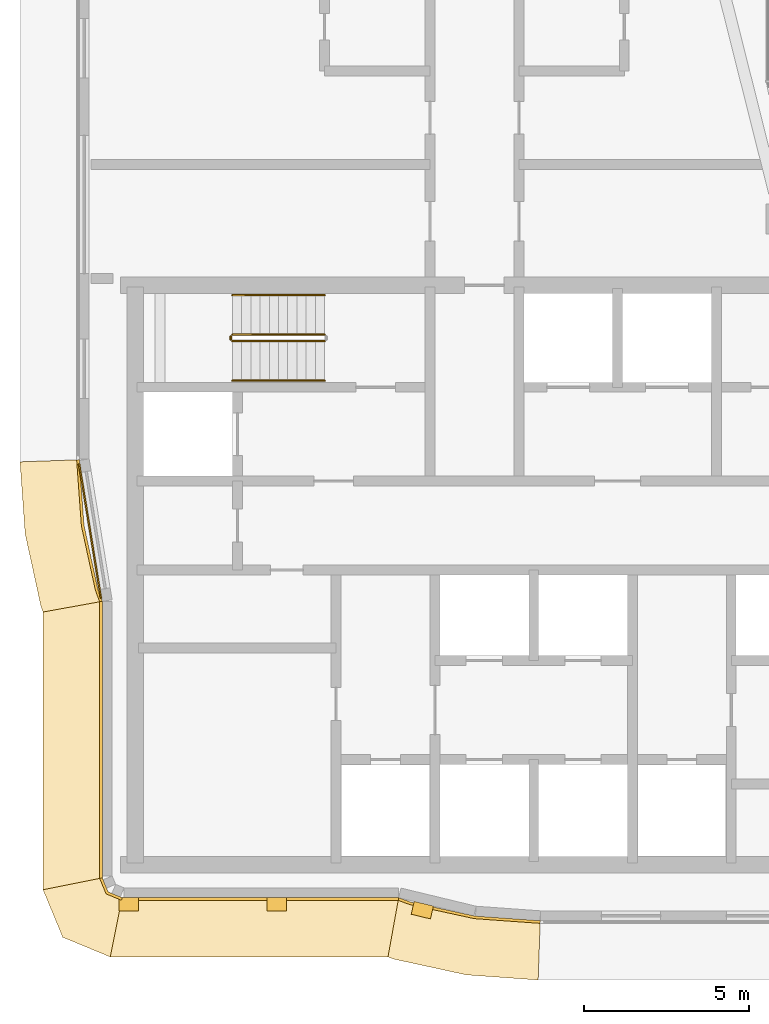
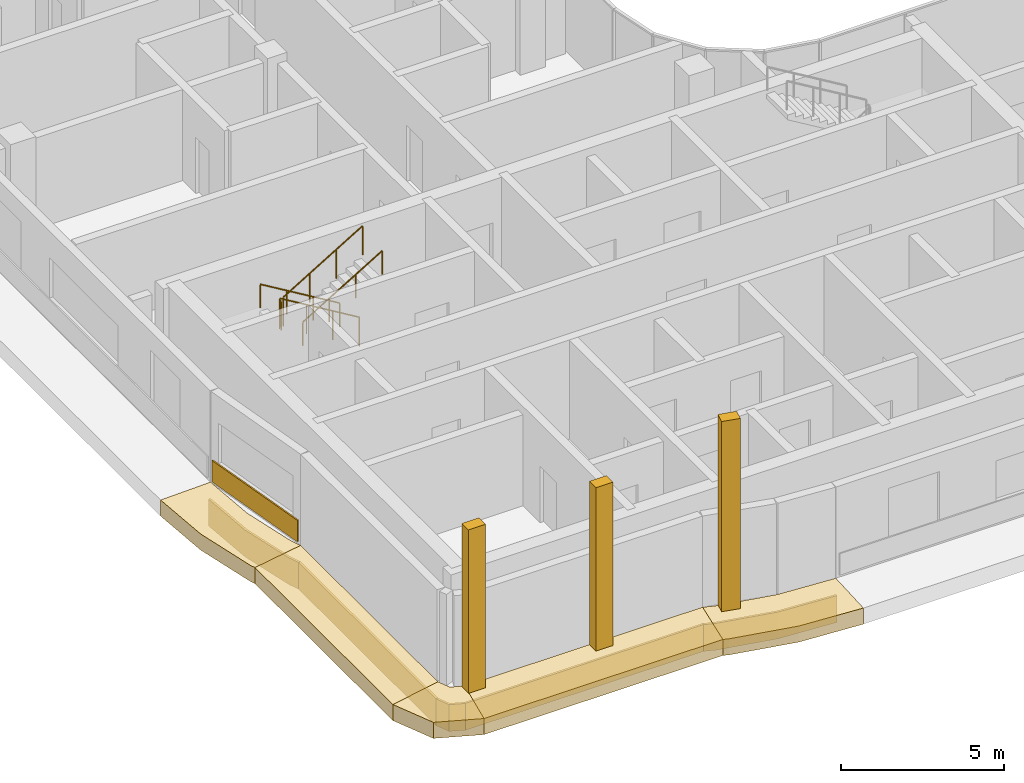
# One storey, part 16 of 21: 14 coverings, 5 railings.
"""IFC4 building model written with IfcOpenShell, lengths in metres."""

from ifc_helpers import new_model, si_unit, direction, frame, origin, origin_2d, place, context, subcontext, project, spatial, polyline, rectangle, circle, outline, extrude, material, layer, layer_set, type_object, element, save


model = new_model("IFC4")

# Units and contexts
model_context = context("Model", 3, precision=1e-05, world=origin(), true_north=direction((0.0, 1.0)))
body_context = subcontext(model_context, "Body", "Model", "MODEL_VIEW")
ifc_project = project(units=[si_unit("LENGTHUNIT", "METRE"), si_unit("AREAUNIT", "SQUARE_METRE"), si_unit("VOLUMEUNIT", "CUBIC_METRE"), si_unit("PLANEANGLEUNIT", "RADIAN"), si_unit("MASSUNIT", "GRAM", prefix="KILO")], contexts=[model_context])

# Site, building, storey
site_placement = place(None, origin())
site = spatial("IfcSite", under=ifc_project, at=site_placement, CompositionType="ELEMENT")
building_placement = place(site_placement, origin())
building = spatial("IfcBuilding", under=site, at=building_placement, Name="Ogive Portal Towers", CompositionType="ELEMENT")
storey_placement = place(building_placement, frame((0.0, 0.0, 225.39990234375)))
storey = spatial("IfcBuildingStorey", under=building, at=storey_placement, Name="L56", CompositionType="ELEMENT", Elevation=225.39990234375)

# Railings
ifc_material_1 = material(Name="Stainless steel balustrade", Category="steel")
railing_type_1 = type_object("IfcRailingType", Name="INT-GUARD", PredefinedType="GUARDRAIL", material=ifc_material_1)
railing_1_placement = place(storey_placement, frame((37.449951171875, 37.800048828125, 0.168212890625)))
element("IfcRailing", 1, at=railing_1_placement, inside=storey, type_object=railing_type_1, Name="L56 ST-A1 stair guard 1", PredefinedType="GUARDRAIL", context=body_context, shape_type="SweptSolid", body=[
    extrude(circle(Radius=0.02392578125, at=origin_2d()), frame((0.0, 0.0, 1.076171875), z_axis=(-0.857242210791, 0.0, 0.514913383045), x_axis=(0.0, -1.0, 0.0)), (0.0, 0.0, 1.0), 3.266357421875),
    extrude(circle(Radius=0.02099609375, at=origin_2d()), origin(), (0.0, 0.0, 1.0), 1.052001953125),
    extrude(circle(Radius=0.02099609375, at=origin_2d()), frame((-0.933349609375, 0.0, 0.560546875)), (0.0, 0.0, 1.0), 1.052001953125),
    extrude(circle(Radius=0.02099609375, at=origin_2d()), frame((-1.86669921875, 0.0, 1.121337890625)), (0.0, 0.0, 1.0), 1.052001953125),
    extrude(circle(Radius=0.02099609375, at=origin_2d()), frame((-2.800048828125, 0.0, 1.681884765625)), (0.0, 0.0, 1.0), 1.052001953125),
])
railing_2_placement = place(storey_placement, frame((34.60009765625, 37.75, 1.85009765625)))
element("IfcRailing", 2, at=railing_2_placement, inside=storey, type_object=railing_type_1, Name="L56 ST-A1 stair guard 2", PredefinedType="GUARDRAIL", context=body_context, shape_type="SweptSolid", body=[
    extrude(circle(Radius=0.02392578125, at=origin_2d()), frame((0.0, 0.0, 1.076171875), z_axis=(0.0, -1.0, 0.0), x_axis=(1.0, 0.0, 0.0)), (0.0, 0.0, 1.0), 0.10009765625),
    extrude(circle(Radius=0.02099609375, at=origin_2d()), origin(), (0.0, 0.0, 1.0), 1.052001953125),
    extrude(circle(Radius=0.02099609375, at=origin_2d()), frame((0.0, -0.10009765625, 0.0)), (0.0, 0.0, 1.0), 1.052001953125),
])
railing_3_placement = place(storey_placement, frame((34.64990234375, 37.60009765625, 2.018310546875)))
element("IfcRailing", 3, at=railing_3_placement, inside=storey, type_object=railing_type_1, Name="L56 ST-A1 stair guard 3", PredefinedType="GUARDRAIL", context=body_context, shape_type="SweptSolid", body=[
    extrude(circle(Radius=0.02392578125, at=origin_2d()), frame((0.0, 0.0, 1.076171875), z_axis=(0.857242210791, 0.0, 0.514913383045), x_axis=(0.0, 1.0, 0.0)), (0.0, 0.0, 1.0), 3.266357421875),
    extrude(circle(Radius=0.02099609375, at=origin_2d()), origin(), (0.0, 0.0, 1.0), 1.052001953125),
    extrude(circle(Radius=0.02099609375, at=origin_2d()), frame((0.933349609375, 0.0, 0.560546875)), (0.0, 0.0, 1.0), 1.052001953125),
    extrude(circle(Radius=0.02099609375, at=origin_2d()), frame((1.86669921875, 0.0, 1.121337890625)), (0.0, 0.0, 1.0), 1.052001953125),
    extrude(circle(Radius=0.02099609375, at=origin_2d()), frame((2.800048828125, 0.0, 1.681884765625)), (0.0, 0.0, 1.0), 1.052001953125),
])
ifc_material_2 = material(Name="Stainless steel handrail", Category="steel")
railing_type_2 = type_object("IfcRailingType", Name="INT-HANDRAIL", PredefinedType="HANDRAIL", material=ifc_material_2)
railing_4_placement = place(storey_placement, frame((37.449951171875, 39.0, 0.168212890625)))
element("IfcRailing", 4, at=railing_4_placement, inside=storey, type_object=railing_type_2, Name="L56 ST-A1 stair handrail 1", PredefinedType="HANDRAIL", context=body_context, shape_type="SweptSolid", body=[
    extrude(circle(Radius=0.02392578125, at=origin_2d()), frame((0.0, 0.0, 0.8759765625), z_axis=(-0.857242210791, 0.0, 0.514913383045), x_axis=(0.0, -1.0, 0.0)), (0.0, 0.0, 1.0), 3.266357421875),
    extrude(circle(Radius=0.02099609375, at=origin_2d()), origin(), (0.0, 0.0, 1.0), 0.851806640625),
    extrude(circle(Radius=0.02099609375, at=origin_2d()), frame((-0.933349609375, 0.0, 0.560546875)), (0.0, 0.0, 1.0), 0.851806640625),
    extrude(circle(Radius=0.02099609375, at=origin_2d()), frame((-1.86669921875, 0.0, 1.121337890625)), (0.0, 0.0, 1.0), 0.851806640625),
    extrude(circle(Radius=0.02099609375, at=origin_2d()), frame((-2.800048828125, 0.0, 1.681884765625)), (0.0, 0.0, 1.0), 0.851806640625),
])
railing_5_placement = place(storey_placement, frame((34.64990234375, 36.39990234375, 2.018310546875)))
element("IfcRailing", 5, at=railing_5_placement, inside=storey, type_object=railing_type_2, Name="L56 ST-A1 stair handrail 2", PredefinedType="HANDRAIL", context=body_context, shape_type="SweptSolid", body=[
    extrude(circle(Radius=0.02392578125, at=origin_2d()), frame((0.0, 0.0, 0.8759765625), z_axis=(0.857242210791, 0.0, 0.514913383045), x_axis=(0.0, 1.0, 0.0)), (0.0, 0.0, 1.0), 3.266357421875),
    extrude(circle(Radius=0.02099609375, at=origin_2d()), origin(), (0.0, 0.0, 1.0), 0.851806640625),
    extrude(circle(Radius=0.02099609375, at=origin_2d()), frame((0.933349609375, 0.0, 0.560546875)), (0.0, 0.0, 1.0), 0.851806640625),
    extrude(circle(Radius=0.02099609375, at=origin_2d()), frame((1.86669921875, 0.0, 1.121337890625)), (0.0, 0.0, 1.0), 0.851806640625),
    extrude(circle(Radius=0.02099609375, at=origin_2d()), frame((2.800048828125, 0.0, 1.681884765625)), (0.0, 0.0, 1.0), 0.851806640625),
])

# Coverings
ifc_material_3 = material(Name="Limestone cladding on lightweight block wall", Category="masonry")
ifc_layer_1 = layer(ifc_material_3, 0.050048828125)
ifc_layer_set_1 = layer_set([ifc_layer_1], Name="SCREEN PERFORATED STONE")
covering_type_1 = type_object("IfcCoveringType", Name="SCREEN PERFORATED STONE", PredefinedType="CLADDING", material=ifc_layer_set_1)
covering_1_placement = place(storey_placement, frame((30.327392578125, 31.833740234375, 0.10009765625), z_axis=(0.0, 0.0, 1.0), x_axis=(0.160654533408, -0.987010699484, 0.0)))
element("IfcCovering", 6, at=covering_1_placement, inside=storey, type_object=covering_type_1, Name="Tracery screen", PredefinedType="CLADDING", context=body_context, shape_type="SweptSolid", body=[
    extrude(rectangle(XDim=4.1328125, YDim=0.050048828125, at=origin_2d()), origin(), (0.0, 0.0, 1.0), 0.800048828125),
])
ifc_layer_2 = layer(ifc_material_3, 0.39990234375)
ifc_layer_set_2 = layer_set([ifc_layer_2], Name="SPINE PIER STONE")
covering_type_2 = type_object("IfcCoveringType", Name="SPINE PIER STONE", PredefinedType="CLADDING", material=ifc_layer_set_2)
for number, where, z_axis, x_axis, name in (
    (7, (31.5, 20.5, 0.0), (0.0, 0.0, 1.0), (1.0, 0.0, 0.0), "SPINE PIER"),
    (8, (36.0, 20.5, 0.0), (0.0, 0.0, 1.0), (1.0, 0.0, 0.0), "SPINE PIER"),
):
    element("IfcCovering", number, at=place(storey_placement, frame(where, z_axis=z_axis, x_axis=x_axis)), inside=storey, type_object=covering_type_2, Name=name, PredefinedType="CLADDING", context=body_context, shape_type="SweptSolid", body=[
        extrude(rectangle(XDim=0.60009765625, YDim=0.39990234375, at=origin_2d()), origin(), (0.0, 0.0, 1.0), 6.10009765625),
    ])
covering_2_placement = place(storey_placement, frame((40.417724609375, 20.32080078125, 0.0), z_axis=(0.0, 0.0, 1.0), x_axis=(0.972047938929, -0.234782461918, 0.0)))
element("IfcCovering", 9, at=covering_2_placement, inside=storey, type_object=covering_type_2, Name="SPINE PIER", PredefinedType="CLADDING", context=body_context, shape_type="SweptSolid", body=[
    extrude(rectangle(XDim=0.60009765625, YDim=0.39990234375, at=origin_2d()), origin(), (0.0, 0.0, 1.0), 7.10009765625),
])
ifc_layer_3 = layer(ifc_material_3, 0.080078125)
ifc_layer_set_3 = layer_set([ifc_layer_3], Name="STONE SPANDREL 80")
covering_type_3 = type_object("IfcCoveringType", Name="STONE SPANDREL 80", PredefinedType="CLADDING", material=ifc_layer_set_3)
covering_3_placement = place(storey_placement, frame((0.0, 0.0, -1.599853515625)))
element("IfcCovering", 10, at=covering_3_placement, inside=storey, type_object=covering_type_3, Name="Stone spandrel A1-F01", PredefinedType="CLADDING", context=body_context, shape_type="SweptSolid", body=[
    extrude(outline(polyline([(30.699951171875, 29.699462890625), (30.699951171875, 21.300048828125), (30.6201171875, 21.2841796875), (30.6201171875, 29.68505859375), (30.699951171875, 29.699462890625)])), origin(), (0.0, 0.0, 1.0), 1.0),
])
covering_4_placement = place(storey_placement, frame((0.0, 0.0, -1.599853515625)))
element("IfcCovering", 11, at=covering_4_placement, inside=storey, type_object=covering_type_3, Name="Stone spandrel A1-F02", PredefinedType="CLADDING", context=body_context, shape_type="SweptSolid", body=[
    extrude(outline(polyline([(30.699951171875, 21.300048828125), (30.875732421875, 20.875732421875), (31.300048828125, 20.699951171875), (31.2841796875, 20.6201171875), (30.814453125, 20.814453125), (30.6201171875, 21.2841796875), (30.699951171875, 21.300048828125)])), origin(), (0.0, 0.0, 1.0), 1.0),
])
covering_5_placement = place(storey_placement, frame((0.0, 0.0, -1.599853515625)))
element("IfcCovering", 12, at=covering_5_placement, inside=storey, type_object=covering_type_3, Name="Stone spandrel A1-F03", PredefinedType="CLADDING", context=body_context, shape_type="SweptSolid", body=[
    extrude(outline(polyline([(31.300048828125, 20.699951171875), (39.699462890625, 20.699951171875), (39.68505859375, 20.6201171875), (31.2841796875, 20.6201171875), (31.300048828125, 20.699951171875)])), origin(), (0.0, 0.0, 1.0), 1.0),
])
covering_6_placement = place(storey_placement, frame((0.0, 0.0, -1.599853515625)))
element("IfcCovering", 13, at=covering_6_placement, inside=storey, type_object=covering_type_3, Name="Stone spandrel A1-F04", PredefinedType="CLADDING", context=body_context, shape_type="SweptSolid", body=[
    extrude(outline(polyline([(39.699462890625, 20.699951171875), (40.0556640625, 20.567138671875), (42.007568359375, 20.142578125), (44.0, 20.0), (43.9970703125, 19.919921875), (41.99609375, 20.063232421875), (40.033203125, 20.490234375), (39.68505859375, 20.6201171875), (39.699462890625, 20.699951171875)])), origin(), (0.0, 0.0, 1.0), 1.0),
])
covering_7_placement = place(storey_placement, frame((0.0, 0.0, -1.599853515625)))
element("IfcCovering", 14, at=covering_7_placement, inside=storey, type_object=covering_type_3, Name="Stone spandrel A1-F14", PredefinedType="CLADDING", context=body_context, shape_type="SweptSolid", body=[
    extrude(outline(polyline([(30.0, 34.0), (30.142578125, 32.007568359375), (30.567138671875, 30.0556640625), (30.699951171875, 29.699462890625), (30.6201171875, 29.68505859375), (30.490234375, 30.033203125), (30.063232421875, 31.99609375), (29.919921875, 33.9970703125), (30.0, 34.0)])), origin(), (0.0, 0.0, 1.0), 1.0),
])
ifc_layer_4 = layer(ifc_material_3, 0.60009765625)
ifc_layer_set_4 = layer_set([ifc_layer_4], Name="SUNSHADE LIP 600")
covering_type_4 = type_object("IfcCoveringType", Name="SUNSHADE LIP 600", PredefinedType="CLADDING", material=ifc_layer_set_4)
covering_8_placement = place(storey_placement, frame((0.0, 0.0, -0.599853515625)))
element("IfcCovering", 15, at=covering_8_placement, inside=storey, type_object=covering_type_4, Name="Sunshade lip A1-F01", PredefinedType="CLADDING", context=body_context, shape_type="SweptSolid", body=[
    extrude(outline(polyline([(30.699951171875, 29.699462890625), (30.699951171875, 21.300048828125), (28.89990234375, 20.94189453125), (28.89990234375, 29.374755859375), (30.699951171875, 29.699462890625)])), origin(), (0.0, 0.0, 1.0), 0.599853515625),
])
covering_9_placement = place(storey_placement, frame((0.0, 0.0, -0.599853515625)))
element("IfcCovering", 16, at=covering_9_placement, inside=storey, type_object=covering_type_4, Name="Sunshade lip A1-F02", PredefinedType="CLADDING", context=body_context, shape_type="SweptSolid", body=[
    extrude(outline(polyline([(30.699951171875, 21.300048828125), (30.875732421875, 20.875732421875), (31.300048828125, 20.699951171875), (30.94189453125, 18.89990234375), (29.498046875, 19.498046875), (28.89990234375, 20.94189453125), (30.699951171875, 21.300048828125)])), origin(), (0.0, 0.0, 1.0), 0.599853515625),
])
covering_10_placement = place(storey_placement, frame((0.0, 0.0, -0.599853515625)))
element("IfcCovering", 17, at=covering_10_placement, inside=storey, type_object=covering_type_4, Name="Sunshade lip A1-F03", PredefinedType="CLADDING", context=body_context, shape_type="SweptSolid", body=[
    extrude(outline(polyline([(31.300048828125, 20.699951171875), (39.699462890625, 20.699951171875), (39.374755859375, 18.89990234375), (30.94189453125, 18.89990234375), (31.300048828125, 20.699951171875)])), origin(), (0.0, 0.0, 1.0), 0.599853515625),
])
covering_11_placement = place(storey_placement, frame((0.0, 0.0, -0.599853515625)))
element("IfcCovering", 18, at=covering_11_placement, inside=storey, type_object=covering_type_4, Name="Sunshade lip A1-F04", PredefinedType="CLADDING", context=body_context, shape_type="SweptSolid", body=[
    extrude(outline(polyline([(39.699462890625, 20.699951171875), (40.0556640625, 20.567138671875), (42.007568359375, 20.142578125), (44.0, 20.0), (43.935791015625, 18.199951171875), (41.750732421875, 18.356201171875), (39.54736328125, 18.835693359375), (39.374755859375, 18.89990234375), (39.699462890625, 20.699951171875)])), origin(), (0.0, 0.0, 1.0), 0.599853515625),
])
covering_12_placement = place(storey_placement, frame((0.0, 0.0, -0.599853515625)))
element("IfcCovering", 19, at=covering_12_placement, inside=storey, type_object=covering_type_4, Name="Sunshade lip A1-F14", PredefinedType="CLADDING", context=body_context, shape_type="SweptSolid", body=[
    extrude(outline(polyline([(30.0, 34.0), (30.142578125, 32.007568359375), (30.567138671875, 30.0556640625), (30.699951171875, 29.699462890625), (28.89990234375, 29.374755859375), (28.835693359375, 29.54736328125), (28.356201171875, 31.750732421875), (28.199951171875, 33.935791015625), (30.0, 34.0)])), origin(), (0.0, 0.0, 1.0), 0.599853515625),
])

save(model, "model.ifc")
